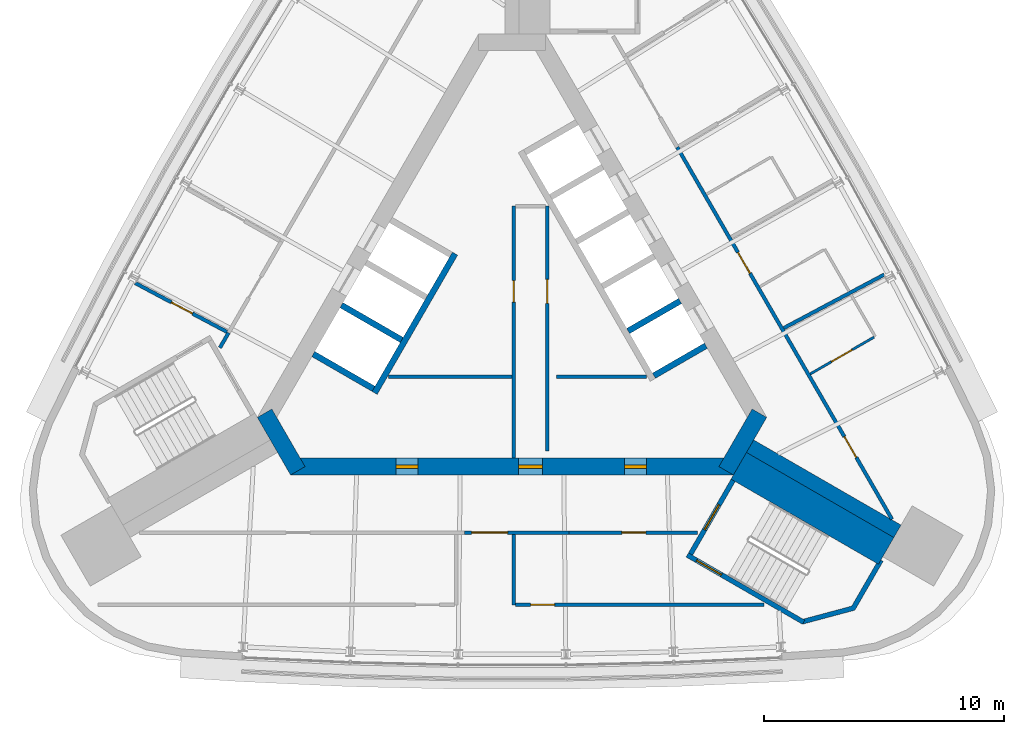
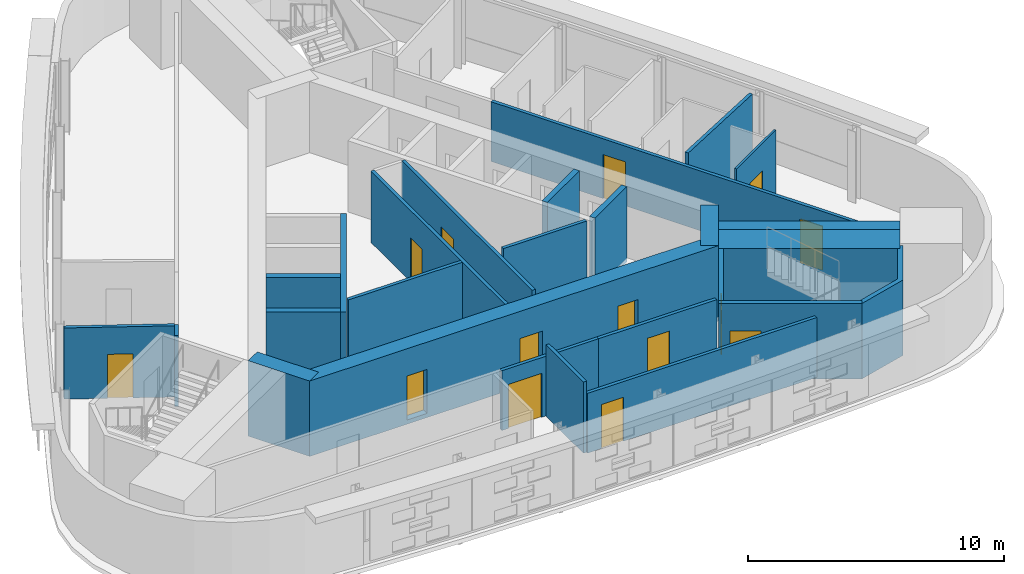
# One storey, part 6 of 10: 26 walls, 14 doors, 14 openings.
"""IFC4 building model written with IfcOpenShell, lengths in metres."""

from ifc_helpers import new_model, si_unit, direction, frame, frame_2d, origin, place, context, subcontext, project, spatial, polyline, rectangle, outline, extrude, material, layer, layer_set, type_object, element, fill, save


model = new_model("IFC4")

# Units and contexts
model_context = context("Model", 3, precision=1e-05, world=origin(), true_north=direction((0.0, 1.0)))
body_context = subcontext(model_context, "Body", "Model", "MODEL_VIEW")
ifc_project = project(units=[si_unit("LENGTHUNIT", "METRE"), si_unit("AREAUNIT", "SQUARE_METRE"), si_unit("VOLUMEUNIT", "CUBIC_METRE"), si_unit("PLANEANGLEUNIT", "RADIAN"), si_unit("MASSUNIT", "GRAM", prefix="KILO")], contexts=[model_context])

# Site, building, storey
site_placement = place(None, origin())
site = spatial("IfcSite", under=ifc_project, at=site_placement, CompositionType="ELEMENT")
building_placement = place(site_placement, origin())
building = spatial("IfcBuilding", under=site, at=building_placement, Name="Noor Cloister Tower", CompositionType="ELEMENT")
storey_placement = place(building_placement, frame((0.0, 0.0, 240.0)))
storey = spatial("IfcBuildingStorey", under=building, at=storey_placement, Name="L62", CompositionType="ELEMENT", Elevation=240.0)

# Walls
ifc_material_1 = material(Name="Concrete C60/75", Category="concrete")
ifc_layer_1 = layer(ifc_material_1, 0.60009765625)
ifc_layer_set_1 = layer_set([ifc_layer_1], Name="Buttress wall 600 C60/75")
wall_type_1 = type_object("IfcWallType", Name="Buttress wall 600 C60/75", PredefinedType="SHEAR", material=ifc_layer_set_1)
wall_1_placement = place(storey_placement, frame((9.921630859375, -5.728271484375, -0.199951171875), z_axis=(0.0, 0.0, 1.0), x_axis=(0.866029688112, -0.499992579254, 0.0)))
element("IfcWall", 1, at=wall_1_placement, inside=storey, type_object=wall_type_1, Name="Buttress wall SE L62", PredefinedType="SHEAR", context=body_context, shape_type="SweptSolid", body=[
    extrude(rectangle(XDim=7.09326171875, YDim=0.60009765625, at=frame_2d((3.546630859375, 0.0))), origin(), (0.0, 0.0, 1.0), 3.599853515625),
])
ifc_material_2 = material(Name="Concrete C30/37", Category="concrete")
ifc_layer_2 = layer(ifc_material_2, 0.14990234375)
ifc_layer_set_2 = layer_set([ifc_layer_2], Name="Core partition 150 C30/37")
wall_type_2 = type_object("IfcWallType", Name="Core partition 150 C30/37", PredefinedType="PARTITIONING", material=ifc_layer_set_2)
wall_2_placement = place(storey_placement, frame((-5.142333984375, -2.828125, 0.0), z_axis=(0.0, 0.0, 1.0), x_axis=(1.0, 0.0, 0.0)))
element("IfcWall", 2, at=wall_2_placement, inside=storey, type_object=wall_type_2, Name="Core room partition L62 1", PredefinedType="PARTITIONING", context=body_context, shape_type="SweptSolid", body=[
    extrude(rectangle(XDim=5.138671875, YDim=0.14990234375, at=frame_2d((2.5693359375, 0.0))), origin(), (0.0, 0.0, 1.0), 3.39990234375),
])

# Wall, opening, door
wall_3_placement = place(storey_placement, frame((0.0712890625, 4.271728515625, 0.0), z_axis=(0.0, 0.0, 1.0), x_axis=(0.0, -1.0, 0.0)))
wall_3 = element("IfcWall", 3, at=wall_3_placement, inside=storey, type_object=wall_type_2, Name="Core room partition L62 2", PredefinedType="PARTITIONING", context=body_context, shape_type="SweptSolid", body=[
    extrude(rectangle(XDim=10.5, YDim=0.14990234375, at=frame_2d((5.25, 0.0))), origin(), (0.0, 0.0, 1.0), 3.39990234375),
])
opening_1_placement = place(wall_3_placement, frame((3.10107421875, 0.0, 0.0)))
opening_1 = element("IfcOpeningElement", 4, at=opening_1_placement, cuts=wall_3, Name="Opening L62-904", PredefinedType="OPENING", context=body_context, shape_type="SweptSolid", body=[
    extrude(rectangle(XDim=0.89990234375, YDim=2.10009765625, at=frame_2d((0.449951171875, 1.050048828125))), frame((0.0, 0.0849609375, 0.0), z_axis=(0.0, -1.0, 0.0), x_axis=(1.0, 0.0, 0.0)), (0.0, 0.0, 1.0), 0.169921875),
])
ifc_material_3 = material(Name="Steel", Category="steel")
door_type_1 = type_object("IfcDoorType", Name="Core door 900 x 2100 FD120", OperationType="SINGLE_SWING_LEFT", PredefinedType="DOOR", material=ifc_material_3)
door_1_placement = place(opening_1_placement, origin())
door_1 = element("IfcDoor", 5, at=door_1_placement, inside=storey, type_object=door_type_1, Name="Core door 4 L62", OperationType="SINGLE_SWING_RIGHT", OverallHeight=2.10009765625, OverallWidth=0.89990234375, PredefinedType="DOOR", context=body_context, shape_type="SweptSolid", body=[
    extrude(rectangle(XDim=0.89990234375, YDim=2.10009765625, at=frame_2d((0.449951171875, 1.050048828125))), frame((0.0, 0.02490234375, 0.0), z_axis=(0.0, -1.0, 0.0), x_axis=(1.0, 0.0, 0.0)), (0.0, 0.0, 1.0), 0.050048828125),
])
fill(opening_1, door_1)

wall_4_placement = place(storey_placement, frame((1.47119140625, -5.92822265625, 0.0), z_axis=(0.0, 0.0, 1.0), x_axis=(0.0, 1.0, 0.0)))
wall_4 = element("IfcWall", 6, at=wall_4_placement, inside=storey, type_object=wall_type_2, Name="Core room partition L62 4", PredefinedType="PARTITIONING", context=body_context, shape_type="SweptSolid", body=[
    extrude(rectangle(XDim=10.206298828125, YDim=0.14990234375, at=frame_2d((5.10302734375, 0.0))), origin(), (0.0, 0.0, 1.0), 3.39990234375),
])
opening_2_placement = place(wall_4_placement, frame((6.14990234375, 0.0, 0.0)))
opening_2 = element("IfcOpeningElement", 7, at=opening_2_placement, cuts=wall_4, Name="Opening L62-905", PredefinedType="OPENING", context=body_context, shape_type="SweptSolid", body=[
    extrude(rectangle(XDim=1.0, YDim=2.10009765625, at=frame_2d((0.5, 1.050048828125))), frame((0.0, 0.0849609375, 0.0), z_axis=(0.0, -1.0, 0.0), x_axis=(1.0, 0.0, 0.0)), (0.0, 0.0, 1.0), 0.169921875),
])
ifc_material_4 = material(Name="Steel", Category="steel")
door_type_2 = type_object("IfcDoorType", Name="Core door 1000 x 2100 FD60", OperationType="SINGLE_SWING_LEFT", PredefinedType="DOOR", material=ifc_material_4)
door_2_placement = place(opening_2_placement, origin())
door_2 = element("IfcDoor", 8, at=door_2_placement, inside=storey, type_object=door_type_2, Name="Core door 5 L62", OperationType="SINGLE_SWING_LEFT", OverallHeight=2.10009765625, OverallWidth=1.0, PredefinedType="DOOR", context=body_context, shape_type="SweptSolid", body=[
    extrude(rectangle(XDim=1.0, YDim=2.10009765625, at=frame_2d((0.5, 1.050048828125))), frame((0.0, 0.02490234375, 0.0), z_axis=(0.0, -1.0, 0.0), x_axis=(1.0, 0.0, 0.0)), (0.0, 0.0, 1.0), 0.050048828125),
])
fill(opening_2, door_2)

# Wall
wall_5_placement = place(storey_placement, frame((1.84619140625, -2.828125, 0.0), z_axis=(0.0, 0.0, 1.0), x_axis=(1.0, 0.0, 0.0)))
element("IfcWall", 9, at=wall_5_placement, inside=storey, type_object=wall_type_2, Name="Core room partition L62 5", PredefinedType="PARTITIONING", context=body_context, shape_type="SweptSolid", body=[
    extrude(rectangle(XDim=3.7578125, YDim=0.14990234375, at=frame_2d((1.87890625, 0.0))), origin(), (0.0, 0.0, 1.0), 3.39990234375),
])

# Wall, openings, doors
ifc_material_5 = material(Name="Concrete C60/75", Category="concrete")
ifc_layer_3 = layer(ifc_material_5, 0.699951171875)
ifc_layer_set_3 = layer_set([ifc_layer_3], Name="Core wall 700 C60/75")
wall_type_3 = type_object("IfcWallType", Name="Core wall 700 C60/75", PredefinedType="SHEAR", material=ifc_layer_set_3)
wall_6_placement = place(storey_placement, frame((-9.228759765625, -6.578125, -0.199951171875), z_axis=(0.0, 0.0, 1.0), x_axis=(1.0, 0.0, 0.0)))
wall_6 = element("IfcWall", 10, at=wall_6_placement, inside=storey, type_object=wall_type_3, Name="Core wall L62 1", PredefinedType="SHEAR", context=body_context, shape_type="SweptSolid", body=[
    extrude(rectangle(XDim=18.45751953125, YDim=0.699951171875, at=frame_2d((9.228759765625, 0.0))), origin(), (0.0, 0.0, 1.0), 3.599853515625),
])
opening_3_placement = place(wall_6_placement, frame((9.5, 0.0, 0.199951171875)))
opening_3 = element("IfcOpeningElement", 11, at=opening_3_placement, cuts=wall_6, Name="Opening L62-901", PredefinedType="OPENING", context=body_context, shape_type="SweptSolid", body=[
    extrude(rectangle(XDim=1.0, YDim=2.10009765625, at=frame_2d((0.5, 1.050048828125))), frame((0.0, 0.35986328125, 0.0), z_axis=(0.0, -1.0, 0.0), x_axis=(1.0, 0.0, 0.0)), (0.0, 0.0, 1.0), 0.719970703125),
])
opening_4_placement = place(wall_6_placement, frame((4.402099609375, 0.0, 0.199951171875)))
opening_4 = element("IfcOpeningElement", 12, at=opening_4_placement, cuts=wall_6, Name="Opening L62-902", PredefinedType="OPENING", context=body_context, shape_type="SweptSolid", body=[
    extrude(rectangle(XDim=0.89990234375, YDim=2.10009765625, at=frame_2d((0.449951171875, 1.050048828125))), frame((0.0, 0.35986328125, 0.0), z_axis=(0.0, -1.0, 0.0), x_axis=(1.0, 0.0, 0.0)), (0.0, 0.0, 1.0), 0.719970703125),
])
opening_5_placement = place(wall_6_placement, frame((13.9267578125, 0.0, 0.199951171875)))
opening_5 = element("IfcOpeningElement", 13, at=opening_5_placement, cuts=wall_6, Name="Opening L62-903", PredefinedType="OPENING", context=body_context, shape_type="SweptSolid", body=[
    extrude(rectangle(XDim=0.89990234375, YDim=2.10009765625, at=frame_2d((0.449951171875, 1.050048828125))), frame((0.0, 0.35986328125, 0.0), z_axis=(0.0, -1.0, 0.0), x_axis=(1.0, 0.0, 0.0)), (0.0, 0.0, 1.0), 0.719970703125),
])
ifc_material_6 = material(Name="Steel", Category="steel")
door_type_3 = type_object("IfcDoorType", Name="Core door 1000 x 2100 FD120", OperationType="SINGLE_SWING_LEFT", PredefinedType="DOOR", material=ifc_material_6)
door_3_placement = place(opening_3_placement, origin())
door_3 = element("IfcDoor", 14, at=door_3_placement, inside=storey, type_object=door_type_3, Name="Core door 1 L62", OperationType="SINGLE_SWING_LEFT", OverallHeight=2.10009765625, OverallWidth=1.0, PredefinedType="DOOR", context=body_context, shape_type="SweptSolid", body=[
    extrude(rectangle(XDim=1.0, YDim=2.10009765625, at=frame_2d((0.5, 1.050048828125))), frame((0.0, 0.074951171875, 0.0), z_axis=(0.0, -1.0, 0.0), x_axis=(1.0, 0.0, 0.0)), (0.0, 0.0, 1.0), 0.14990234375),
])
fill(opening_3, door_3)
door_4_placement = place(opening_5_placement, origin())
door_4 = element("IfcDoor", 15, at=door_4_placement, inside=storey, type_object=door_type_1, Name="Core door 3 L62", OperationType="SINGLE_SWING_LEFT", OverallHeight=2.10009765625, OverallWidth=0.89990234375, PredefinedType="DOOR", context=body_context, shape_type="SweptSolid", body=[
    extrude(rectangle(XDim=0.89990234375, YDim=2.10009765625, at=frame_2d((0.449951171875, 1.050048828125))), frame((0.0, 0.074951171875, 0.0), z_axis=(0.0, -1.0, 0.0), x_axis=(1.0, 0.0, 0.0)), (0.0, 0.0, 1.0), 0.14990234375),
])
fill(opening_5, door_4)
ifc_material_7 = material(Name="Steel", Category="steel")
door_type_4 = type_object("IfcDoorType", Name="Core door 900 x 2100 FD60", OperationType="SINGLE_SWING_LEFT", PredefinedType="DOOR", material=ifc_material_7)
door_5_placement = place(opening_4_placement, origin())
door_5 = element("IfcDoor", 16, at=door_5_placement, inside=storey, type_object=door_type_4, Name="Core door 2 L62", OperationType="SINGLE_SWING_RIGHT", OverallHeight=2.10009765625, OverallWidth=0.89990234375, PredefinedType="DOOR", context=body_context, shape_type="SweptSolid", body=[
    extrude(rectangle(XDim=0.89990234375, YDim=2.10009765625, at=frame_2d((0.449951171875, 1.050048828125))), frame((0.0, 0.074951171875, 0.0), z_axis=(0.0, -1.0, 0.0), x_axis=(1.0, 0.0, 0.0)), (0.0, 0.0, 1.0), 0.14990234375),
])
fill(opening_4, door_5)

# Walls
for number, where, z_axis, x_axis, name in (
    (17, (8.925537109375, -6.753173828125, -0.199951171875), (0.0, 0.0, 1.0), (0.500042739161, 0.866000726912, 0.0), "Core wall L62 2"),
    (18, (-10.311279296875, -4.353271484375, -0.199951171875), (0.0, 0.0, 1.0), (0.500042739161, -0.866000726912, 0.0), "Core wall L62 6"),
):
    element("IfcWall", number, at=place(storey_placement, frame(where, z_axis=z_axis, x_axis=x_axis)), inside=storey, type_object=wall_type_3, Name=name, PredefinedType="SHEAR", context=body_context, shape_type="SweptSolid", body=[
        extrude(rectangle(XDim=2.771240234375, YDim=0.699951171875, at=frame_2d((1.3857421875, 0.0))), origin(), (0.0, 0.0, 1.0), 3.599853515625),
    ])
ifc_material_8 = material(Name="Fire-rated gypsum board partition on steel studs, 150 mm", Category="steel")
ifc_layer_4 = layer(ifc_material_8, 0.14990234375)
ifc_layer_set_4 = layer_set([ifc_layer_4], Name="Fire lobby wall 150")
wall_type_4 = type_object("IfcWallType", Name="Fire lobby wall 150", PredefinedType="PARTITIONING", material=ifc_layer_set_4)
wall_7_placement = place(storey_placement, frame((-11.811279296875, -1.001220703125, 0.0), z_axis=(0.0, 0.0, 1.0), x_axis=(-0.499839240638, -0.866118198353, 0.0)))
element("IfcWall", 19, at=wall_7_placement, inside=storey, type_object=wall_type_4, Name="Wall L62-W22", PredefinedType="PARTITIONING", context=body_context, shape_type="SweptSolid", body=[
    extrude(rectangle(XDim=0.723876953125, YDim=0.14990234375, at=frame_2d((0.36181640625, 0.0))), origin(), (0.0, 0.0, 1.0), 3.39990234375),
])

# Wall, openings, doors
ifc_material_9 = material(Name="Gypsum board partition on steel studs, 150 mm", Category="steel")
ifc_layer_5 = layer(ifc_material_9, 0.14990234375)
ifc_layer_set_5 = layer_set([ifc_layer_5], Name="Flat wall 150")
wall_type_5 = type_object("IfcWallType", Name="Flat wall 150", PredefinedType="PARTITIONING", material=ifc_layer_set_5)
wall_8_placement = place(storey_placement, frame((15.835693359375, -8.771728515625, 0.0), z_axis=(0.0, 0.0, 1.0), x_axis=(-0.500001479768, 0.866024549438, 0.0)))
wall_8 = element("IfcWall", 20, at=wall_8_placement, inside=storey, type_object=wall_type_5, Name="Wall L62-W01", PredefinedType="PARTITIONING", context=body_context, shape_type="SweptSolid", body=[
    extrude(rectangle(XDim=17.89990234375, YDim=0.14990234375, at=frame_2d((8.949951171875, 0.0))), origin(), (0.0, 0.0, 1.0), 2.85205078125),
])
opening_6_placement = place(wall_8_placement, frame((2.972900390625, 0.0, 0.0)))
opening_6 = element("IfcOpeningElement", 21, at=opening_6_placement, cuts=wall_8, Name="Opening L62-003", PredefinedType="OPENING", context=body_context, shape_type="SweptSolid", body=[
    extrude(rectangle(XDim=1.0, YDim=2.10009765625, at=frame_2d((0.5, 1.050048828125))), frame((0.0, 0.0849609375, 0.0), z_axis=(0.0, -1.0, 0.0), x_axis=(1.0, 0.0, 0.0)), (0.0, 0.0, 1.0), 0.169921875),
])
opening_7_placement = place(wall_8_placement, frame((11.83740234375, 0.0, 0.0)))
opening_7 = element("IfcOpeningElement", 22, at=opening_7_placement, cuts=wall_8, Name="Opening L62-005", PredefinedType="OPENING", context=body_context, shape_type="SweptSolid", body=[
    extrude(rectangle(XDim=1.0, YDim=2.10009765625, at=frame_2d((0.5, 1.050048828125))), frame((0.0, 0.0849609375, 0.0), z_axis=(0.0, -1.0, 0.0), x_axis=(1.0, 0.0, 0.0)), (0.0, 0.0, 1.0), 0.169921875),
])
ifc_material_10 = material(Name="Timber door leaf with steel frame", Category="steel")
door_type_5 = type_object("IfcDoorType", Name="Flat entrance door 1000", OperationType="NOTDEFINED", PredefinedType="DOOR", material=ifc_material_10)
door_6_placement = place(opening_6_placement, origin())
door_6 = element("IfcDoor", 23, at=door_6_placement, inside=storey, type_object=door_type_5, Name="Door L62-003", OperationType="SINGLE_SWING_LEFT", OverallHeight=2.10009765625, OverallWidth=1.0, PredefinedType="DOOR", context=body_context, shape_type="SweptSolid", body=[
    extrude(rectangle(XDim=1.0, YDim=2.10009765625, at=frame_2d((0.5, 1.050048828125))), frame((0.0, 0.02490234375, 0.0), z_axis=(0.0, -1.0, 0.0), x_axis=(1.0, 0.0, 0.0)), (0.0, 0.0, 1.0), 0.050048828125),
])
fill(opening_6, door_6)
door_7_placement = place(opening_7_placement, origin())
door_7 = element("IfcDoor", 24, at=door_7_placement, inside=storey, type_object=door_type_5, Name="Door L62-005", OperationType="SINGLE_SWING_LEFT", OverallHeight=2.10009765625, OverallWidth=1.0, PredefinedType="DOOR", context=body_context, shape_type="SweptSolid", body=[
    extrude(rectangle(XDim=1.0, YDim=2.10009765625, at=frame_2d((0.5, 1.050048828125))), frame((0.0, 0.02490234375, 0.0), z_axis=(0.0, -1.0, 0.0), x_axis=(1.0, 0.0, 0.0)), (0.0, 0.0, 1.0), 0.050048828125),
])
fill(opening_7, door_7)

# Wall
wall_9_placement = place(storey_placement, frame((15.51806640625, 1.42529296875, 0.0), z_axis=(0.0, 0.0, 1.0), x_axis=(-0.882718227231, -0.469902682812, 0.0)))
element("IfcWall", 25, at=wall_9_placement, inside=storey, type_object=wall_type_5, Name="Wall L62-W08", PredefinedType="PARTITIONING", context=body_context, shape_type="SweptSolid", body=[
    extrude(rectangle(XDim=4.751220703125, YDim=0.14990234375, at=frame_2d((2.37548828125, 0.0))), origin(), (0.0, 0.0, 1.0), 3.39990234375),
])

# Wall, opening, door
wall_10_placement = place(storey_placement, frame((2.385498046875, -9.328125, 0.0), z_axis=(0.0, 0.0, 1.0), x_axis=(1.0, 0.0, 0.0)))
wall_10 = element("IfcWall", 26, at=wall_10_placement, inside=storey, type_object=wall_type_5, Name="Wall L62-W15", PredefinedType="PARTITIONING", context=body_context, shape_type="SweptSolid", body=[
    extrude(rectangle(XDim=5.342041015625, YDim=0.14990234375, at=frame_2d((2.6708984375, 0.0))), origin(), (0.0, 0.0, 1.0), 2.85205078125),
])
opening_8_placement = place(wall_10_placement, frame((2.196044921875, 0.0, 0.0)))
opening_8 = element("IfcOpeningElement", 27, at=opening_8_placement, cuts=wall_10, Name="Opening L62-013", PredefinedType="OPENING", context=body_context, shape_type="SweptSolid", body=[
    extrude(rectangle(XDim=1.0, YDim=2.10009765625, at=frame_2d((0.5, 1.050048828125))), frame((0.0, 0.0849609375, 0.0), z_axis=(0.0, -1.0, 0.0), x_axis=(1.0, 0.0, 0.0)), (0.0, 0.0, 1.0), 0.169921875),
])
ifc_material_11 = material(Name="Timber door leaf with steel frame", Category="steel")
door_type_6 = type_object("IfcDoorType", Name="Interior door 1000 FD60", OperationType="NOTDEFINED", PredefinedType="DOOR", material=ifc_material_11)
door_8_placement = place(opening_8_placement, origin())
door_8 = element("IfcDoor", 28, at=door_8_placement, inside=storey, type_object=door_type_6, Name="Door L62-013", OperationType="SINGLE_SWING_LEFT", OverallHeight=2.10009765625, OverallWidth=1.0, PredefinedType="DOOR", context=body_context, shape_type="SweptSolid", body=[
    extrude(rectangle(XDim=1.0, YDim=2.10009765625, at=frame_2d((0.5, 1.050048828125))), frame((0.0, 0.02490234375, 0.0), z_axis=(0.0, -1.0, 0.0), x_axis=(1.0, 0.0, 0.0)), (0.0, 0.0, 1.0), 0.050048828125),
])
fill(opening_8, door_8)

wall_11_placement = place(storey_placement, frame((-1.985595703125, -9.328125, 0.0), z_axis=(0.0, 0.0, 1.0), x_axis=(1.0, 0.0, 0.0)))
wall_11 = element("IfcWall", 29, at=wall_11_placement, inside=storey, type_object=wall_type_5, Name="Wall L62-W16", PredefinedType="PARTITIONING", context=body_context, shape_type="SweptSolid", body=[
    extrude(rectangle(XDim=4.37109375, YDim=0.14990234375, at=frame_2d((2.185546875, 0.0))), origin(), (0.0, 0.0, 1.0), 2.85205078125),
])
opening_9_placement = place(wall_11_placement, frame((0.306640625, 0.0, 0.0)))
opening_9 = element("IfcOpeningElement", 30, at=opening_9_placement, cuts=wall_11, Name="Opening L62-009", PredefinedType="OPENING", context=body_context, shape_type="SweptSolid", body=[
    extrude(rectangle(XDim=1.5, YDim=2.10009765625, at=frame_2d((0.75, 1.050048828125))), frame((0.0, 0.0849609375, 0.0), z_axis=(0.0, -1.0, 0.0), x_axis=(1.0, 0.0, 0.0)), (0.0, 0.0, 1.0), 0.169921875),
])
ifc_material_12 = material(Name="Timber door leaf with steel frame", Category="steel")
door_type_7 = type_object("IfcDoorType", Name="Double door 1500 FD60", OperationType="NOTDEFINED", PredefinedType="DOOR", material=ifc_material_12)
door_9_placement = place(opening_9_placement, origin())
door_9 = element("IfcDoor", 31, at=door_9_placement, inside=storey, type_object=door_type_7, Name="Door L62-009", OperationType="DOUBLE_DOOR_SINGLE_SWING", OverallHeight=2.10009765625, OverallWidth=1.5, PredefinedType="DOOR", context=body_context, shape_type="SweptSolid", body=[
    extrude(rectangle(XDim=1.5, YDim=2.10009765625, at=frame_2d((0.75, 1.050048828125))), frame((0.0, 0.02490234375, 0.0), z_axis=(0.0, -1.0, 0.0), x_axis=(1.0, 0.0, 0.0)), (0.0, 0.0, 1.0), 0.050048828125),
])
fill(opening_9, door_9)

# Wall
wall_12_placement = place(storey_placement, frame((0.077880859375, -9.4033203125, 0.0), z_axis=(0.0, 0.0, 1.0), x_axis=(0.0, -1.0, 0.0)))
element("IfcWall", 32, at=wall_12_placement, inside=storey, type_object=wall_type_5, Name="Wall L62-W18", PredefinedType="PARTITIONING", context=body_context, shape_type="SweptSolid", body=[
    extrude(rectangle(XDim=2.9365234375, YDim=0.14990234375, at=frame_2d((1.46826171875, 0.0))), origin(), (0.0, 0.0, 1.0), 3.39990234375),
])

# Wall, opening, door
wall_13_placement = place(storey_placement, frame((0.153076171875, -12.33984375, 0.0), z_axis=(0.0, 0.0, 1.0), x_axis=(1.0, 0.0, 0.0)))
wall_13 = element("IfcWall", 33, at=wall_13_placement, inside=storey, type_object=wall_type_5, Name="Wall L62-W20", PredefinedType="PARTITIONING", context=body_context, shape_type="SweptSolid", body=[
    extrude(rectangle(XDim=10.34912109375, YDim=0.14990234375, at=frame_2d((5.174560546875, 0.0))), origin(), (0.0, 0.0, 1.0), 2.85205078125),
])
opening_10_placement = place(wall_13_placement, frame((0.625, 0.0, 0.0)))
opening_10 = element("IfcOpeningElement", 34, at=opening_10_placement, cuts=wall_13, Name="Opening L62-012", PredefinedType="OPENING", context=body_context, shape_type="SweptSolid", body=[
    extrude(rectangle(XDim=1.0, YDim=2.10009765625, at=frame_2d((0.5, 1.050048828125))), frame((0.0, 0.0849609375, 0.0), z_axis=(0.0, -1.0, 0.0), x_axis=(1.0, 0.0, 0.0)), (0.0, 0.0, 1.0), 0.169921875),
])
door_10_placement = place(opening_10_placement, origin())
door_10 = element("IfcDoor", 35, at=door_10_placement, inside=storey, type_object=door_type_6, Name="Door L62-012", OperationType="SINGLE_SWING_RIGHT", OverallHeight=2.10009765625, OverallWidth=1.0, PredefinedType="DOOR", context=body_context, shape_type="SweptSolid", body=[
    extrude(rectangle(XDim=1.0, YDim=2.10009765625, at=frame_2d((0.5, 1.050048828125))), frame((0.0, 0.02490234375, 0.0), z_axis=(0.0, -1.0, 0.0), x_axis=(1.0, 0.0, 0.0)), (0.0, 0.0, 1.0), 0.050048828125),
])
fill(opening_10, door_10)

wall_14_placement = place(storey_placement, frame((-15.7060546875, 1.072265625, 0.0), z_axis=(0.0, 0.0, 1.0), x_axis=(0.882697050639, -0.469942461152, 0.0)))
wall_14 = element("IfcWall", 36, at=wall_14_placement, inside=storey, type_object=wall_type_5, Name="Wall L62-W24", PredefinedType="PARTITIONING", context=body_context, shape_type="SweptSolid", body=[
    extrude(rectangle(XDim=4.33740234375, YDim=0.14990234375, at=frame_2d((2.168701171875, 0.0))), origin(), (0.0, 0.0, 1.0), 3.39990234375),
])
opening_11_placement = place(wall_14_placement, frame((1.706298828125, 0.0, 0.0)))
opening_11 = element("IfcOpeningElement", 37, at=opening_11_placement, cuts=wall_14, Name="Opening L62-016", PredefinedType="OPENING", context=body_context, shape_type="SweptSolid", body=[
    extrude(rectangle(XDim=1.0, YDim=2.10009765625, at=frame_2d((0.5, 1.050048828125))), frame((0.0, 0.0849609375, 0.0), z_axis=(0.0, -1.0, 0.0), x_axis=(1.0, 0.0, 0.0)), (0.0, 0.0, 1.0), 0.169921875),
])
door_11_placement = place(opening_11_placement, origin())
door_11 = element("IfcDoor", 38, at=door_11_placement, inside=storey, type_object=door_type_6, Name="Door L62-016", OperationType="SINGLE_SWING_RIGHT", OverallHeight=2.10009765625, OverallWidth=1.0, PredefinedType="DOOR", context=body_context, shape_type="SweptSolid", body=[
    extrude(rectangle(XDim=1.0, YDim=2.10009765625, at=frame_2d((0.5, 1.050048828125))), frame((0.0, 0.02490234375, 0.0), z_axis=(0.0, -1.0, 0.0), x_axis=(1.0, 0.0, 0.0)), (0.0, 0.0, 1.0), 0.050048828125),
])
fill(opening_11, door_11)

ifc_material_13 = material(Name="Gypsum board partition on steel studs, 100 mm", Category="steel")
ifc_layer_6 = layer(ifc_material_13, 0.10009765625)
ifc_layer_set_6 = layer_set([ifc_layer_6], Name="Partition 100")
wall_type_6 = type_object("IfcWallType", Name="Partition 100", PredefinedType="PARTITIONING", material=ifc_layer_set_6)
wall_15_placement = place(storey_placement, frame((15.0908203125, -1.181640625, 0.0), z_axis=(0.0, 0.0, 1.0), x_axis=(-0.866016353143, -0.500015675843, 0.0)))
wall_15 = element("IfcWall", 39, at=wall_15_placement, inside=storey, type_object=wall_type_6, Name="Wall L62-W07", PredefinedType="PARTITIONING", context=body_context, shape_type="SweptSolid", body=[
    extrude(rectangle(XDim=3.0751953125, YDim=0.10009765625, at=frame_2d((1.53759765625, 0.0))), origin(), (0.0, 0.0, 1.0), 3.39990234375),
])
opening_12_placement = place(wall_15_placement, frame((1.050048828125, 0.0, 0.0)))
opening_12 = element("IfcOpeningElement", 40, at=opening_12_placement, cuts=wall_15, Name="Opening L62-002", PredefinedType="OPENING", context=body_context, shape_type="SweptSolid", body=[
    extrude(rectangle(XDim=1.0, YDim=2.10009765625, at=frame_2d((0.5, 1.050048828125))), frame((0.0, 0.06005859375, 0.0), z_axis=(0.0, -1.0, 0.0), x_axis=(1.0, 0.0, 0.0)), (0.0, 0.0, 1.0), 0.1201171875),
])
ifc_material_14 = material(Name="Timber door leaf with steel frame", Category="steel")
door_type_8 = type_object("IfcDoorType", Name="Interior door 1000", OperationType="NOTDEFINED", PredefinedType="DOOR", material=ifc_material_14)
door_12_placement = place(opening_12_placement, origin())
door_12 = element("IfcDoor", 41, at=door_12_placement, inside=storey, type_object=door_type_8, Name="Door L62-002", OperationType="SINGLE_SWING_RIGHT", OverallHeight=2.10009765625, OverallWidth=1.0, PredefinedType="DOOR", context=body_context, shape_type="SweptSolid", body=[
    extrude(rectangle(XDim=1.0, YDim=2.10009765625, at=frame_2d((0.5, 1.050048828125))), frame((0.0, 0.02490234375, 0.0), z_axis=(0.0, -1.0, 0.0), x_axis=(1.0, 0.0, 0.0)), (0.0, 0.0, 1.0), 0.050048828125),
])
fill(opening_12, door_12)

# Walls
ifc_material_15 = material(Name="Concrete C60/75", Category="concrete")
ifc_layer_7 = layer(ifc_material_15, 0.25)
ifc_layer_set_7 = layer_set([ifc_layer_7], Name="Shaft wall 250 C60/75")
wall_type_7 = type_object("IfcWallType", Name="Shaft wall 250 C60/75", PredefinedType="PARTITIONING", material=ifc_layer_set_7)
for number, where, z_axis, x_axis, name in (
    (42, (8.081298828125, -1.540771484375, -0.199951171875), (0.0, 0.0, 1.0), (-0.866022959057, -0.500004234368, 0.0), "Lift shaft wall L62 NE 1"),
    (43, (7.00634765625, 0.3212890625, -0.199951171875), (0.0, 0.0, 1.0), (-0.866022959057, -0.500004234368, 0.0), "Lift shaft wall L62 NE 2"),
):
    element("IfcWall", number, at=place(storey_placement, frame(where, z_axis=z_axis, x_axis=x_axis)), inside=storey, type_object=wall_type_7, Name=name, PredefinedType="PARTITIONING", context=body_context, shape_type="SweptSolid", body=[
        extrude(rectangle(XDim=2.5, YDim=0.25, at=frame_2d((1.25, 0.0))), origin(), (0.0, 0.0, 1.0), 3.599853515625),
    ])
for number, where, z_axis, x_axis, name in (
    (44, (-7.106201171875, 0.14794921875, -0.199951171875), (0.0, 0.0, 1.0), (0.866032775405, -0.499987231761, 0.0), "Lift shaft wall L62 NW 5"),
    (45, (-8.28125, -1.88720703125, -0.199951171875), (0.0, 0.0, 1.0), (0.866032775405, -0.499987231761, 0.0), "Lift shaft wall L62 NW 6"),
):
    element("IfcWall", number, at=place(storey_placement, frame(where, z_axis=z_axis, x_axis=x_axis)), inside=storey, type_object=wall_type_7, Name=name, PredefinedType="PARTITIONING", context=body_context, shape_type="SweptSolid", body=[
        extrude(rectangle(XDim=2.89990234375, YDim=0.25, at=frame_2d((1.449951171875, 0.0))), origin(), (0.0, 0.0, 1.0), 3.599853515625),
    ])
wall_16_placement = place(storey_placement, frame((-2.3740234375, 2.29443359375, 0.0), z_axis=(0.0, 0.0, 1.0), x_axis=(-0.500003174267, -0.866023571113, 0.0)))
element("IfcWall", 46, at=wall_16_placement, inside=storey, type_object=wall_type_7, Name="Lift shaft back wall L62 NW", PredefinedType="PARTITIONING", context=body_context, shape_type="SweptSolid", body=[
    extrude(rectangle(XDim=6.7001953125, YDim=0.25, at=frame_2d((3.35009765625, 0.0))), origin(), (0.0, 0.0, 1.0), 3.39990234375),
])
ifc_material_16 = material(Name="Concrete C60/75", Category="concrete")
ifc_layer_8 = layer(ifc_material_16, 1.285888671875)
ifc_layer_set_8 = layer_set([ifc_layer_8], Name="Stair enclosure wall 1286 C60/75")
wall_type_8 = type_object("IfcWallType", Name="Stair enclosure wall 1286 C60/75", PredefinedType="SHEAR", material=ifc_layer_set_8)
wall_17_placement = place(storey_placement, frame((9.4501953125, -6.544677734375, -0.199951171875), z_axis=(0.0, 0.0, 1.0), x_axis=(0.866023389271, -0.500003489223, 0.0)))
element("IfcWall", 47, at=wall_17_placement, inside=storey, type_object=wall_type_8, Name="Stair enclosure wall ST3 L62 riser side", PredefinedType="SHEAR", context=body_context, shape_type="SweptSolid", body=[
    extrude(rectangle(XDim=7.09375, YDim=1.28564453125, at=frame_2d((3.546875, 0.0))), origin(), (0.0, 0.0, 1.0), 3.599853515625),
])

# Wall, opening, door
ifc_material_17 = material(Name="Concrete C60/75", Category="concrete")
ifc_layer_9 = layer(ifc_material_17, 0.199951171875)
ifc_layer_set_9 = layer_set([ifc_layer_9], Name="Stair enclosure wall 200 C60/75")
wall_type_9 = type_object("IfcWallType", Name="Stair enclosure wall 200 C60/75", PredefinedType="SHEAR", material=ifc_layer_set_9)
wall_18_placement = place(storey_placement, frame((7.440185546875, -10.225830078125, -0.199951171875), z_axis=(0.0, 0.0, 1.0), x_axis=(0.500022077904, 0.866012656725, 0.0)))
wall_18 = element("IfcWall", 48, at=wall_18_placement, inside=storey, type_object=wall_type_9, Name="Stair enclosure wall ST3 L62 near end", PredefinedType="SHEAR", context=body_context, shape_type="SweptSolid", body=[
    extrude(rectangle(XDim=3.550048828125, YDim=0.199951171875, at=frame_2d((1.77490234375, 0.0))), origin(), (0.0, 0.0, 1.0), 3.599853515625),
])
opening_13_placement = place(wall_18_placement, frame((1.175048828125, 0.0, 0.199951171875)))
opening_13 = element("IfcOpeningElement", 49, at=opening_13_placement, cuts=wall_18, Name="Opening L62-ST3L", PredefinedType="OPENING", context=body_context, shape_type="SweptSolid", body=[
    extrude(rectangle(XDim=1.199951171875, YDim=2.10009765625, at=frame_2d((0.60009765625, 1.050048828125))), frame((0.0, 0.10986328125, 0.0), z_axis=(0.0, -1.0, 0.0), x_axis=(1.0, 0.0, 0.0)), (0.0, 0.0, 1.0), 0.219970703125),
])
ifc_material_18 = material(Name="Steel", Category="steel")
door_type_9 = type_object("IfcDoorType", Name="Stair door 1200 x 2100 FD120", OperationType="SINGLE_SWING_LEFT", PredefinedType="DOOR", material=ifc_material_18)
door_13_placement = place(opening_13_placement, origin())
door_13 = element("IfcDoor", 50, at=door_13_placement, inside=storey, type_object=door_type_9, Name="Stair door ST3 L62", OperationType="SINGLE_SWING_RIGHT", OverallHeight=2.10009765625, OverallWidth=1.199951171875, PredefinedType="DOOR", context=body_context, shape_type="SweptSolid", body=[
    extrude(rectangle(XDim=1.199951171875, YDim=2.10009765625, at=frame_2d((0.60009765625, 1.050048828125))), frame((0.0, 0.02490234375, 0.0), z_axis=(0.0, -1.0, 0.0), x_axis=(1.0, 0.0, 0.0)), (0.0, 0.0, 1.0), 0.050048828125),
])
fill(opening_13, door_13)

wall_19_placement = place(storey_placement, frame((7.3037109375, -10.262451171875, -0.199951171875), z_axis=(0.0, 0.0, 1.0), x_axis=(0.866026594901, -0.49999793692, 0.0)))
wall_19 = element("IfcWall", 51, at=wall_19_placement, inside=storey, type_object=wall_type_9, Name="Stair enclosure wall ST3 L62 outer side", PredefinedType="SHEAR", context=body_context, shape_type="SweptSolid", body=[
    extrude(rectangle(XDim=5.60009765625, YDim=0.199951171875, at=frame_2d((2.800048828125, 0.0))), origin(), (0.0, 0.0, 1.0), 3.599853515625),
])
opening_14_placement = place(wall_19_placement, frame((0.449951171875, 0.0, 0.199951171875)))
opening_14 = element("IfcOpeningElement", 52, at=opening_14_placement, cuts=wall_19, Name="Opening L62-ST3C", PredefinedType="OPENING", context=body_context, shape_type="SweptSolid", body=[
    extrude(rectangle(XDim=1.199951171875, YDim=2.10009765625, at=frame_2d((0.60009765625, 1.050048828125))), frame((0.0, 0.10986328125, 0.0), z_axis=(0.0, -1.0, 0.0), x_axis=(1.0, 0.0, 0.0)), (0.0, 0.0, 1.0), 0.219970703125),
])
door_14_placement = place(opening_14_placement, origin())
door_14 = element("IfcDoor", 53, at=door_14_placement, inside=storey, type_object=door_type_9, Name="Stair door ST3 L62", OperationType="SINGLE_SWING_LEFT", OverallHeight=2.10009765625, OverallWidth=1.199951171875, PredefinedType="DOOR", context=body_context, shape_type="SweptSolid", body=[
    extrude(rectangle(XDim=1.199951171875, YDim=2.10009765625, at=frame_2d((0.60009765625, 1.050048828125))), frame((0.0, 0.02490234375, 0.0), z_axis=(0.0, -1.0, 0.0), x_axis=(1.0, 0.0, 0.0)), (0.0, 0.0, 1.0), 0.050048828125),
])
fill(opening_14, door_14)

# Wall
ifc_material_19 = material(Name="Concrete C60/75", Category="concrete")
wall_type_10 = type_object("IfcWallType", Name="Stair far end wall C60/75", PredefinedType="SHEAR", material=ifc_material_19)
wall_20_placement = place(storey_placement, frame((0.0, 0.0, -0.199951171875)))
element("IfcWall", 54, at=wall_20_placement, inside=storey, type_object=wall_type_10, Name="Stair enclosure wall ST3 L62 far end", PredefinedType="SHEAR", context=body_context, shape_type="SweptSolid", body=[
    extrude(outline(polyline([(12.103515625, -13.14892578125), (14.2890625, -12.5634765625), (15.464111328125, -10.5283203125), (15.3720703125, -10.47509765625), (15.27197265625, -10.648193359375), (15.27197265625, -10.648193359375), (15.27197265625, -10.648193359375), (15.27197265625, -10.648193359375), (15.27197265625, -10.648193359375), (15.27197265625, -10.648193359375), (15.27197265625, -10.648193359375), (15.27197265625, -10.648193359375), (15.27197265625, -10.648193359375), (15.27197265625, -10.648193359375), (15.27197265625, -10.648193359375), (15.27197265625, -10.648193359375), (15.27197265625, -10.648193359375), (15.27197265625, -10.648193359375), (15.27197265625, -10.648193359375), (15.27197265625, -10.648193359375), (15.27197265625, -10.648193359375), (15.19091796875, -10.601318359375), (14.1572265625, -12.3916015625), (12.131591796875, -12.934326171875), (12.20361328125, -12.975830078125), (12.20361328125, -12.975830078125), (12.20361328125, -12.975830078125), (12.20361328125, -12.975830078125), (12.20361328125, -12.975830078125), (12.20361328125, -12.975830078125), (12.20361328125, -12.975830078125), (12.20361328125, -12.975830078125), (12.20361328125, -12.975830078125), (12.20361328125, -12.975830078125), (12.20361328125, -12.975830078125), (12.20361328125, -12.975830078125), (12.20361328125, -12.975830078125), (12.20361328125, -12.975830078125), (12.20361328125, -12.975830078125), (12.20361328125, -12.975830078125), (12.20361328125, -12.975830078125), (12.103515625, -13.14892578125)])), origin(), (0.0, 0.0, 1.0), 3.599853515625),
])

save(model, "model.ifc")
